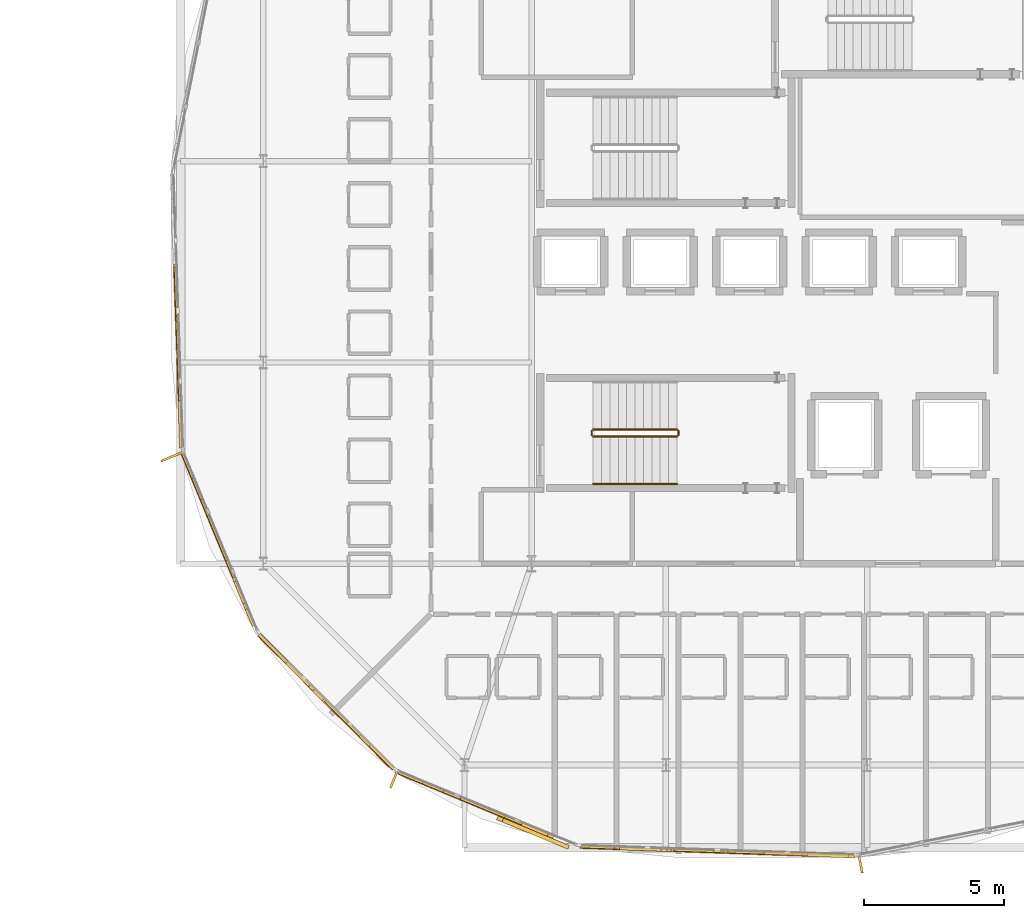
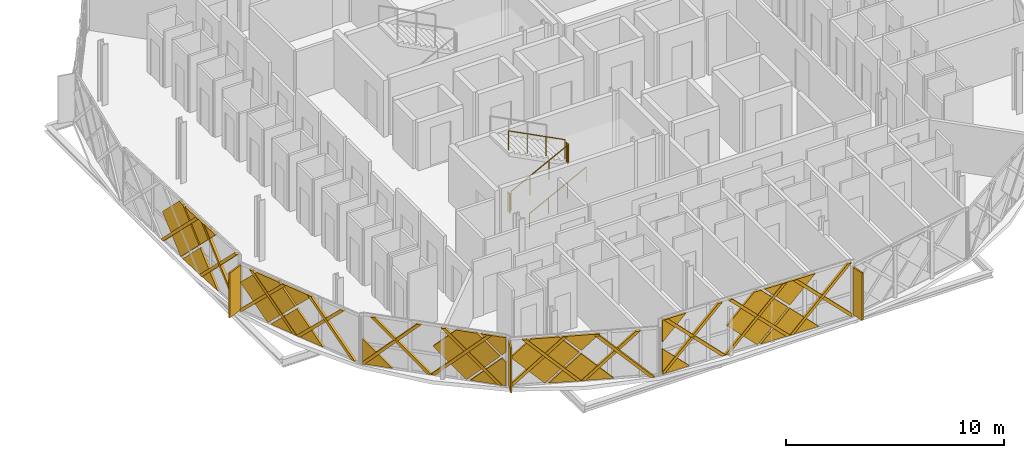
# One storey, part 21 of 25: 39 coverings, 5 railings, 3 shading devices.
"""IFC4 building model written with IfcOpenShell, lengths in metres."""

from ifc_helpers import new_model, si_unit, direction, frame, origin, origin_2d, place, context, subcontext, project, spatial, polyline, rectangle, circle, outline, extrude, material, layer, layer_set, type_object, element, save


model = new_model("IFC4")

# Units and contexts
model_context = context("Model", 3, precision=1e-05, world=origin(), true_north=direction((0.0, 1.0)))
body_context = subcontext(model_context, "Body", "Model", "MODEL_VIEW")
ifc_project = project(units=[si_unit("LENGTHUNIT", "METRE"), si_unit("AREAUNIT", "SQUARE_METRE"), si_unit("VOLUMEUNIT", "CUBIC_METRE"), si_unit("PLANEANGLEUNIT", "RADIAN"), si_unit("MASSUNIT", "GRAM", prefix="KILO")], contexts=[model_context])

# Site, building, storey
site_placement = place(None, origin())
site = spatial("IfcSite", under=ifc_project, at=site_placement, CompositionType="ELEMENT")
building_placement = place(site_placement, origin())
building = spatial("IfcBuilding", under=site, at=building_placement, Name="Zevrakil Square Congress Hotel", CompositionType="ELEMENT")
storey_placement = place(building_placement, frame((0.0, 0.0, 28.300048828125)))
storey = spatial("IfcBuildingStorey", under=building, at=storey_placement, Name="L08", CompositionType="ELEMENT", Elevation=28.300048828125)

# Coverings
ifc_material_1 = material(Name="Architectural White Fibre-C GRC", Category="concrete")
ifc_layer_1 = layer(ifc_material_1, 0.06494140625)
ifc_layer_set_1 = layer_set([ifc_layer_1], Name="Architectural White Fibre-C GRC")
covering_type_1 = type_object("IfcCoveringType", Name="COV-DIA-WHITE", PredefinedType="CLADDING", material=ifc_layer_set_1)
covering_1_placement = place(storey_placement, frame((124.122802734375, 24.14013671875, 1.58984375), z_axis=(-0.999406656149, -0.03443721067, 0.000643558289), x_axis=(0.02389505301, -0.706676184949, -0.707133506537)))
element("IfcCovering", 1, at=covering_1_placement, inside=storey, type_object=covering_type_1, Name="L08 45-degree white GRC diamond facade cassette 2890", PredefinedType="CLADDING", context=body_context, shape_type="SweptSolid", body=[
    extrude(outline(polyline([(0.0, 0.0), (2.135395581831385, 2.220446049250313e-16), (-5.777927787020687e-05, -2.1356156752607216), (0.0, 0.0)])), origin(), (0.0, 0.0, -1.0), 0.1201171875),
])
covering_2_placement = place(storey_placement, frame((124.11962890625, 24.230224609375, 1.679931640625), z_axis=(-0.999408467545, -0.034385213214, 0.000610009963), x_axis=(-0.024743257155, 0.706619005661, -0.70716147524)))
element("IfcCovering", 2, at=covering_2_placement, inside=storey, type_object=covering_type_1, Name="L08 45-degree white GRC diamond facade cassette 2891", PredefinedType="CLADDING", context=body_context, shape_type="SweptSolid", body=[
    extrude(outline(polyline([(0.0, 0.0), (2.2485499608674626, 2.220446049250313e-16), (2.2483263124737234, -2.248674971583065), (0.24723547446501004, -2.2485968174487025), (-0.00027366975192211207, -2.001049223632493), (0.0, 0.0)])), origin(), (0.0, 0.0, -1.0), 0.1201171875),
])
covering_3_placement = place(storey_placement, frame((124.122802734375, 24.14013671875, 1.77001953125), z_axis=(-0.999406062122, -0.034455924339, 0.000558812256), x_axis=(-0.023971665606, 0.706773293008, 0.707033854591)))
element("IfcCovering", 3, at=covering_3_placement, inside=storey, type_object=covering_type_1, Name="L08 45-degree white GRC diamond facade cassette 2893", PredefinedType="CLADDING", context=body_context, shape_type="SweptSolid", body=[
    extrude(outline(polyline([(0.0, 0.0), (1.8739571850363022, 2.220446049250313e-16), (-7.65272421775487e-05, -1.8736478046694347), (0.0, 0.0)])), origin(), (0.0, 0.0, -1.0), 0.1201171875),
])
covering_4_placement = place(storey_placement, frame((125.529296875, 17.697509765625, 1.58984375), z_axis=(-0.923880735009, -0.382680146954, 0.000540931678), x_axis=(0.270254610078, -0.653458270391, -0.707074772983)))
element("IfcCovering", 4, at=covering_4_placement, inside=storey, type_object=covering_type_1, Name="L08 45-degree white GRC diamond facade cassette 2900", PredefinedType="CLADDING", context=body_context, shape_type="SweptSolid", body=[
    extrude(outline(polyline([(0.0, 0.0), (2.135572959638723, -2.220446049250313e-16), (-0.0001106088210092171, -2.135490856824391), (0.0, 0.0)])), origin(), (0.0, 0.0, -1.0), 0.1201171875),
])
covering_5_placement = place(storey_placement, frame((125.4951171875, 17.780517578125, 1.679931640625), z_axis=(-0.923872500398, -0.382700002228, 0.000557945874), x_axis=(-0.270979201065, 0.653137471889, -0.707093851907)))
element("IfcCovering", 5, at=covering_5_placement, inside=storey, type_object=covering_type_1, Name="L08 45-degree white GRC diamond facade cassette 2901", PredefinedType="CLADDING", context=body_context, shape_type="SweptSolid", body=[
    extrude(outline(polyline([(0.0, 0.0), (2.248764983938595, -2.220446049250313e-16), (2.2486629909174662, -2.2344258014019363), (2.2345073034525282, -2.24858200213165), (0.905268411496974, -2.2486452372748693), (7.96492004191407e-05, -1.343489374241352), (0.0, 0.0)])), origin(), (0.0, 0.0, -1.0), 0.1201171875),
])
covering_6_placement = place(storey_placement, frame((125.529541015625, 17.697509765625, 1.77001953125), z_axis=(-0.923864383143, -0.382719480171, 0.000633290246), x_axis=(-0.270222156987, 0.653471858092, 0.707074618802)))
element("IfcCovering", 6, at=covering_6_placement, inside=storey, type_object=covering_type_1, Name="L08 45-degree white GRC diamond facade cassette 2902", PredefinedType="CLADDING", context=body_context, shape_type="SweptSolid", body=[
    extrude(outline(polyline([(0.0, 0.0), (1.2160856271526654, 0.0), (-5.54342981577971e-05, -1.2160309255636517), (0.0, 0.0)])), origin(), (0.0, 0.0, -1.0), 0.1201171875),
])
covering_7_placement = place(storey_placement, frame((128.01220703125, 13.230224609375, 0.079833984375), z_axis=(-0.707106696407, -0.707106696407, 0.000489686078), x_axis=(-0.707106781187, 0.707106781187, 0.0)))
element("IfcCovering", 7, at=covering_7_placement, inside=storey, type_object=covering_type_1, Name="L08 45-degree white GRC diamond facade cassette 2907", PredefinedType="CLADDING", context=body_context, shape_type="SweptSolid", body=[
    extrude(outline(polyline([(0.0, 0.0), (1.4100703585770802, 0.0), (1.4100703585770802, -1.410156419072445), (0.0, 0.0)])), origin(), (0.0, 0.0, -1.0), 0.1201171875),
])
covering_8_placement = place(storey_placement, frame((131.69677734375, 9.546875, 1.58984375), z_axis=(-0.707131996288, -0.707081337668, 0.000567227862), x_axis=(0.499744388128, -0.500347388263, -0.707041750955)))
element("IfcCovering", 8, at=covering_8_placement, inside=storey, type_object=covering_type_1, Name="L08 45-degree white GRC diamond facade cassette 2908", PredefinedType="CLADDING", context=body_context, shape_type="SweptSolid", body=[
    extrude(outline(polyline([(0.0, 0.0), (0.26242709034075595, -2.7755575615628914e-17), (1.198877946036626, -0.9366227718015449), (-0.00020670090053709345, -2.1354873319760017), (0.0, 0.0)])), origin(), (0.0, 0.0, -1.0), 0.1201171875),
])
covering_9_placement = place(storey_placement, frame((131.63330078125, 9.610595703125, 1.679931640625), z_axis=(-0.707072573293, -0.707140754153, 0.000574379972), x_axis=(-0.500290274042, 0.499667660798, -0.707136387447)))
element("IfcCovering", 9, at=covering_9_placement, inside=storey, type_object=covering_type_1, Name="L08 45-degree white GRC diamond facade cassette 2909", PredefinedType="CLADDING", context=body_context, shape_type="SweptSolid", body=[
    extrude(outline(polyline([(0.0, 0.0), (2.2486297483448325, 2.220446049250313e-16), (2.2485627124392913, -2.2487517432567556), (0.6928440143281972, -2.248740937382935), (2.066311547865851e-06, -1.5558407007359358), (0.0, 0.0)])), origin(), (0.0, 0.0, -1.0), 0.1201171875),
])
covering_10_placement = place(storey_placement, frame((131.69677734375, 9.547119140625, 1.77001953125), z_axis=(-0.707082590059, -0.707130646988, 0.00067744062), x_axis=(-0.499652488346, 0.500295984249, 0.707143068293)))
element("IfcCovering", 10, at=covering_10_placement, inside=storey, type_object=covering_type_1, Name="L08 45-degree white GRC diamond facade cassette 2910", PredefinedType="CLADDING", context=body_context, shape_type="SweptSolid", body=[
    extrude(outline(polyline([(0.0, 0.0), (1.428296250697704, 1.1102230246251565e-16), (0.5828808306307327, -0.8455025454621583), (-1.0559172112151183e-05, -0.2624270940119601), (0.0, 0.0)])), origin(), (0.0, 0.0, -1.0), 0.1201171875),
])
covering_11_placement = place(storey_placement, frame((135.033447265625, 8.038818359375, 1.58984375), z_axis=(-0.382611128731, -0.923909273244, 0.000615618294), x_axis=(0.653140417013, -0.27095095192, -0.707101956805)))
element("IfcCovering", 11, at=covering_11_placement, inside=storey, type_object=covering_type_1, Name="L08 45-degree white GRC diamond facade cassette 2915", PredefinedType="CLADDING", context=body_context, shape_type="SweptSolid", body=[
    extrude(outline(polyline([(0.0, 0.0), (2.13549085968891, 0.0), (-4.4462938671108176e-05, -2.1355069919827674), (0.0, 0.0)])), origin(), (0.0, 0.0, -1.0), 0.1201171875),
])
covering_12_placement = place(storey_placement, frame((134.9501953125, 8.0732421875, 1.679931640625), z_axis=(-0.382688085475, -0.923877381827, 0.000642326631), x_axis=(-0.653424085223, 0.270169400099, -0.707138925601)))
element("IfcCovering", 12, at=covering_12_placement, inside=storey, type_object=covering_type_1, Name="L08 45-degree white GRC diamond facade cassette 2916", PredefinedType="CLADDING", context=body_context, shape_type="SweptSolid", body=[
    extrude(outline(polyline([(0.0, 0.0), (2.24862148539063, -2.220446049250313e-16), (2.2485204519958906, -2.234569239749313), (2.2343638621767203, -2.2487245366662134), (0.904910646742276, -2.248488868010149), (5.211846532682252e-06, -1.3435007951612474), (0.0, 0.0)])), origin(), (0.0, 0.0, -1.0), 0.1201171875),
])
covering_13_placement = place(storey_placement, frame((135.033447265625, 8.038818359375, 1.77001953125), z_axis=(-0.382669305039, -0.923885202708, 0.000578962254), x_axis=(-0.653214826314, 0.271001848655, 0.707013711825)))
element("IfcCovering", 13, at=covering_13_placement, inside=storey, type_object=covering_type_1, Name="L08 45-degree white GRC diamond facade cassette 2917", PredefinedType="CLADDING", context=body_context, shape_type="SweptSolid", body=[
    extrude(outline(polyline([(0.0, 0.0), (1.2161903890525143, 0.0), (-0.00021495480834077263, -1.216085608155002), (0.0, 0.0)])), origin(), (0.0, 0.0, -1.0), 0.1201171875),
])
covering_14_placement = place(storey_placement, frame((139.943603515625, 6.583740234375, 0.079833984375), z_axis=(-0.034283360846, -0.999411913151, 0.000692113513), x_axis=(-0.999412152521, 0.034283369057, 0.0)))
element("IfcCovering", 14, at=covering_14_placement, inside=storey, type_object=covering_type_1, Name="L08 45-degree white GRC diamond facade cassette 2922", PredefinedType="CLADDING", context=body_context, shape_type="SweptSolid", body=[
    extrude(outline(polyline([(0.0, 0.0), (1.4100085574762915, 6.776263578034403e-21), (1.4100420373288864, -1.4101565877474311), (0.0, 0.0)])), origin(), (0.0, 0.0, -1.0), 0.1201171875),
])
covering_15_placement = place(storey_placement, frame((145.150390625, 6.4052734375, 1.58984375), z_axis=(-0.034356469353, -0.999409483795, 0.000562773639), x_axis=(0.706719673874, -0.024692890579, -0.707062630687)))
element("IfcCovering", 15, at=covering_15_placement, inside=storey, type_object=covering_type_1, Name="L08 45-degree white GRC diamond facade cassette 2923", PredefinedType="CLADDING", context=body_context, shape_type="SweptSolid", body=[
    extrude(outline(polyline([(0.0, 0.0), (2.1356096335581944, 2.220446049250313e-16), (-5.1940318203991254e-05, -2.1353955811997), (0.0, 0.0)])), origin(), (0.0, 0.0, -1.0), 0.1201171875),
])
covering_16_placement = place(storey_placement, frame((145.060546875, 6.408447265625, 1.679931640625), z_axis=(-0.034382704984, -0.99940855375, 0.000610155214), x_axis=(-0.706688042147, 0.023880516245, -0.707122147885)))
element("IfcCovering", 16, at=covering_16_placement, inside=storey, type_object=covering_type_1, Name="L08 45-degree white GRC diamond facade cassette 2924", PredefinedType="CLADDING", context=body_context, shape_type="SweptSolid", body=[
    extrude(outline(polyline([(0.0, 0.0), (2.248674982687375, 2.220446049250313e-16), (2.248623877917361, -2.2487224812771034), (0.24740210582595545, -2.2486245994766136), (-0.00012087017328488159, -2.0010908358061217), (0.0, 0.0)])), origin(), (0.0, 0.0, -1.0), 0.1201171875),
])
covering_17_placement = place(storey_placement, frame((138.534423828125, 6.63330078125, 1.869873046875), z_axis=(-0.034475997033, -0.99940534751, 0.000597492236), x_axis=(0.0, 0.000597847641, 0.999999821289)))
element("IfcCovering", 17, at=covering_17_placement, inside=storey, type_object=covering_type_1, Name="L08 45-degree white GRC diamond facade cassette 2925", PredefinedType="CLADDING", context=body_context, shape_type="SweptSolid", body=[
    extrude(outline(polyline([(0.0, 0.0), (1.2250978751883648, -3.3881317890172014e-21), (1.2250726242992194, -1.2250935204799769), (0.0, 0.0)])), origin(), (0.0, 0.0, -1.0), 0.1201171875),
])
covering_18_placement = place(storey_placement, frame((145.150390625, 6.405517578125, 1.77001953125), z_axis=(-0.034459097168, -0.999405954499, 0.000555637997), x_axis=(-0.706629391592, 0.024757437655, 0.707150600805)))
element("IfcCovering", 18, at=covering_18_placement, inside=storey, type_object=covering_type_1, Name="L08 45-degree white GRC diamond facade cassette 2926", PredefinedType="CLADDING", context=body_context, shape_type="SweptSolid", body=[
    extrude(outline(polyline([(0.0, 0.0), (1.873647806232274, 1.1102230246251565e-16), (9.597706286590402e-05, -1.873784638464735), (0.0, 0.0)])), origin(), (0.0, 0.0, -1.0), 0.1201171875),
])
ifc_material_2 = material(Name="Anodised Champagne Aluminium", Category="aluminium")
ifc_layer_2 = layer(ifc_material_2, 0.0849609375)
ifc_layer_set_2 = layer_set([ifc_layer_2], Name="Anodised Champagne Aluminium")
covering_type_2 = type_object("IfcCoveringType", Name="COV-DIAGRID-45", PredefinedType="MOLDING", material=ifc_layer_set_2)
covering_19_placement = place(storey_placement, frame((123.987548828125, 27.311279296875, 0.079833984375), z_axis=(-0.99940380088, -0.034521720238, 0.00054186522), x_axis=(-0.0345217253, 0.999403947602, 1.0757e-08)))
element("IfcCovering", 19, at=covering_19_placement, inside=storey, type_object=covering_type_2, Name="L08 45-degree aluminium diagrid rib 2895", PredefinedType="MOLDING", context=body_context, shape_type="SweptSolid", body=[
    extrude(outline(polyline([(0.0, 0.0), (0.21228459038698066, -8.470329472543003e-22), (-2.8027523469943096, -3.015137191547288), (-3.014792942276895, -3.0151371961115876), (0.0, 0.0)])), origin(), (0.0, 0.0, -1.0), 0.14501953125),
])
covering_20_placement = place(storey_placement, frame((124.103271484375, 23.953369140625, 0.079833984375), z_axis=(-0.999403164725, -0.034541584034, 0.000439671013), x_axis=(-0.034541587373, 0.999403261322, 0.0)))
element("IfcCovering", 20, at=covering_20_placement, inside=storey, type_object=covering_type_2, Name="L08 45-degree aluminium diagrid rib 2896", PredefinedType="MOLDING", context=body_context, shape_type="SweptSolid", body=[
    extrude(outline(polyline([(0.0, 0.0), (0.21204059532446085, 4.235164736271502e-22), (-2.8029879732755405, -3.015137010178986), (-3.0150285686000013, -3.015137010178986), (0.0, 0.0)])), origin(), (0.0, 0.0, -1.0), 0.14501953125),
])
covering_21_placement = place(storey_placement, frame((124.10400390625, 23.980712890625, 3.094970703125), z_axis=(-0.999409170669, -0.034366260263, 0.000519362856), x_axis=(0.034366264934, -0.999409305457, 7.0478e-08)))
element("IfcCovering", 21, at=covering_21_placement, inside=storey, type_object=covering_type_2, Name="L08 45-degree aluminium diagrid rib 2899", PredefinedType="MOLDING", context=body_context, shape_type="SweptSolid", body=[
    extrude(outline(polyline([(0.0, 0.0), (0.21228458847420495, 0.0), (3.0488680792456937, -2.8366705371781626), (3.048868066667643, -3.015137309983542), (3.015154610740454, -3.0151373398777044), (0.0, 0.0)])), origin(), (0.0, 0.0, -1.0), 0.14501953125),
])
covering_22_placement = place(storey_placement, frame((124.291015625, 20.619873046875, 0.079833984375), z_axis=(-0.923934538218, -0.382549853992, 0.000760459497), x_axis=(-0.382549966033, 0.92393480478, -2.031981e-06)))
element("IfcCovering", 22, at=covering_22_placement, inside=storey, type_object=covering_type_2, Name="L08 45-degree aluminium diagrid rib 2903", PredefinedType="MOLDING", context=body_context, shape_type="SweptSolid", body=[
    extrude(outline(polyline([(0.0, 0.0), (0.08623768108857352, 3.3881317890172014e-21), (0.0861440286226943, -0.12622083797518888), (-2.337709719936132, -2.5500447458273348), (-2.5498499145067783, -2.550044232837287), (0.0, 0.0)])), origin(), (0.0, 0.0, -1.0), 0.14501953125),
])
covering_23_placement = place(storey_placement, frame((125.57666015625, 17.515625, 0.079833984375), z_axis=(-0.92404438566, -0.382283783226, 0.001040390342), x_axis=(-0.382283989901, 0.92404488585, 2.2886e-07)))
element("IfcCovering", 23, at=covering_23_placement, inside=storey, type_object=covering_type_2, Name="L08 45-degree aluminium diagrid rib 2904", PredefinedType="MOLDING", context=body_context, shape_type="SweptSolid", body=[
    extrude(outline(polyline([(0.0, 0.0), (0.21214021679311196, -1.3552527156068805e-20), (-2.33802225386467, -2.5500507433072457), (-2.549936873761823, -2.550050840356341), (0.0, 0.0)])), origin(), (0.0, 0.0, -1.0), 0.14501953125),
])
covering_24_placement = place(storey_placement, frame((124.4599609375, 20.2158203125, 2.6298828125), z_axis=(-0.924044872778, -0.38228398475, 0.000167620063), x_axis=(0.382283990127, -0.924044885757, 3.6911e-08)))
element("IfcCovering", 24, at=covering_24_placement, inside=storey, type_object=covering_type_2, Name="L08 45-degree aluminium diagrid rib 2905", PredefinedType="MOLDING", context=body_context, shape_type="SweptSolid", body=[
    extrude(outline(polyline([(0.0, 0.0), (0.21191461989716928, -1.6940658945086007e-21), (2.761859994989337, -2.5500489658929983), (2.549719778196231, -2.550048950240514), (0.0, 0.0)])), origin(), (0.0, 0.0, -1.0), 0.14501953125),
])
covering_25_placement = place(storey_placement, frame((125.74560546875, 17.11181640625, 2.6298828125), z_axis=(-0.923925582378, -0.382571925456, 0.000489979355), x_axis=(0.382571971497, -0.923925693238, 2.60382e-07)))
element("IfcCovering", 25, at=covering_25_placement, inside=storey, type_object=covering_type_2, Name="L08 45-degree aluminium diagrid rib 2906", PredefinedType="MOLDING", context=body_context, shape_type="SweptSolid", body=[
    extrude(outline(polyline([(0.0, 0.0), (0.2122335933052742, 6.776263578034403e-21), (2.762403694716407, -2.550049853512569), (2.5502635027713616, -2.5500497430133255), (0.0, 0.0)])), origin(), (0.0, 0.0, -1.0), 0.14501953125),
])
covering_26_placement = place(storey_placement, frame((127.05810546875, 14.148681640625, 0.079833984375), z_axis=(-0.707552959973, -0.706659195545, 0.001261025151), x_axis=(-0.70665975586, 0.707553524085, 1.730149e-06)))
element("IfcCovering", 26, at=covering_26_placement, inside=storey, type_object=covering_type_2, Name="L08 45-degree aluminium diagrid rib 2911", PredefinedType="MOLDING", context=body_context, shape_type="SweptSolid", body=[
    extrude(outline(polyline([(0.0, 0.0), (0.08614420415780094, -6.776263578034403e-21), (0.08614442253839773, -0.1262206027676727), (-2.487814877312444, -2.700201847212784), (-2.699981505098143, -2.7002021656843427), (0.0, 0.0)])), origin(), (0.0, 0.0, -1.0), 0.14501953125),
])
covering_27_placement = place(storey_placement, frame((129.43408203125, 11.77294921875, 0.079833984375), z_axis=(-0.707106636671, -0.707106636671, 0.000639336923), x_axis=(-0.707106781187, 0.707106781187, 0.0)))
element("IfcCovering", 27, at=covering_27_placement, inside=storey, type_object=covering_type_2, Name="L08 45-degree aluminium diagrid rib 2912", PredefinedType="MOLDING", context=body_context, shape_type="SweptSolid", body=[
    extrude(outline(polyline([(0.0, 0.0), (0.21199392756276378, 0.0), (-2.4879938795069636, -2.700195864354883), (-2.6999878070697276, -2.700195864354883), (0.0, 0.0)])), origin(), (0.0, 0.0, -1.0), 0.14501953125),
])
covering_28_placement = place(storey_placement, frame((127.262939453125, 13.9462890625, 2.780029296875), z_axis=(-0.707106664129, -0.707106664129, 0.000575403253), x_axis=(0.707106781187, -0.707106781187, 0.0)))
element("IfcCovering", 28, at=covering_28_placement, inside=storey, type_object=covering_type_2, Name="L08 45-degree aluminium diagrid rib 2913", PredefinedType="MOLDING", context=body_context, shape_type="SweptSolid", body=[
    extrude(outline(polyline([(0.0, 0.0), (0.21199392756276378, 0.0), (2.912154368123992, -2.7001957595024644), (2.6998151735782265, -2.7001957595024644), (0.0, 0.0)])), origin(), (0.0, 0.0, -1.0), 0.14501953125),
])
covering_29_placement = place(storey_placement, frame((129.638916015625, 11.570556640625, 2.780029296875), z_axis=(-0.707106664129, -0.707106664129, 0.000575403253), x_axis=(0.707106780996, -0.707106781377, -4.68188e-07)))
element("IfcCovering", 29, at=covering_29_placement, inside=storey, type_object=covering_type_2, Name="L08 45-degree aluminium diagrid rib 2914", PredefinedType="MOLDING", context=body_context, shape_type="SweptSolid", body=[
    extrude(outline(polyline([(0.0, 0.0), (0.21216656105428766, 0.0), (2.9121556323233664, -2.7001943960659633), (2.699989071269172, -2.7001945947337083), (0.0, 0.0)])), origin(), (0.0, 0.0, -1.0), 0.14501953125),
])
covering_30_placement = place(storey_placement, frame((132.09130859375, 9.2294921875, 0.079833984375), z_axis=(-0.382701120216, -0.923872025808, 0.000576642016), x_axis=(-0.923872179422, 0.38270118381, -6.1843e-08)))
element("IfcCovering", 30, at=covering_30_placement, inside=storey, type_object=covering_type_2, Name="L08 45-degree aluminium diagrid rib 2918", PredefinedType="MOLDING", context=body_context, shape_type="SweptSolid", body=[
    extrude(outline(polyline([(0.0, 0.0), (0.08614428474267677, 0.0), (0.08614427693680933, -0.12622068213979545), (-2.3378049788131032, -2.550049114756689), (-2.5500385858162278, -2.550049053711513), (0.0, 0.0)])), origin(), (0.0, 0.0, -1.0), 0.14501953125),
])
covering_31_placement = place(storey_placement, frame((135.1953125, 7.943603515625, 0.079833984375), z_axis=(-0.382775327464, -0.92384120388, 0.000691879661), x_axis=(-0.923841424863, 0.382775419414, 5.20519e-07)))
element("IfcCovering", 31, at=covering_31_placement, inside=storey, type_object=covering_type_2, Name="L08 45-degree aluminium diagrid rib 2919", PredefinedType="MOLDING", context=body_context, shape_type="SweptSolid", body=[
    extrude(outline(polyline([(0.0, 0.0), (0.2120080657726245, 0.0), (-2.33802891427037, -2.550050655464719), (-2.550169076235731, -2.550050876241881), (0.0, 0.0)])), origin(), (0.0, 0.0, -1.0), 0.14501953125),
])
covering_32_placement = place(storey_placement, frame((132.496337890625, 9.063232421875, 2.6298828125), z_axis=(-0.382571876897, -0.923925465108, 0.000702803032), x_axis=(0.923925693387, -0.382571971137, 3.73644e-07)))
element("IfcCovering", 32, at=covering_32_placement, inside=storey, type_object=covering_type_2, Name="L08 45-degree aluminium diagrid rib 2920", PredefinedType="MOLDING", context=body_context, shape_type="SweptSolid", body=[
    extrude(outline(polyline([(0.0, 0.0), (0.2121401919450817, 6.776263578034403e-21), (2.762077414077669, -2.5500504899339758), (2.5498438207724465, -2.550050331369346), (0.0, 0.0)])), origin(), (0.0, 0.0, -1.0), 0.14501953125),
])
covering_33_placement = place(storey_placement, frame((135.6005859375, 7.777587890625, 2.6298828125), z_axis=(0.383266523222, 0.92363779245, 2.3140221e-05), x_axis=(0.923637792697, -0.383266523325, 5.107e-09)))
element("IfcCovering", 33, at=covering_33_placement, inside=storey, type_object=covering_type_2, Name="L08 45-degree aluminium diagrid rib 2921", PredefinedType="MOLDING", context=body_context, shape_type="SweptSolid", body=[
    extrude(outline(polyline([(0.0, 0.0), (0.2120081206079828, 4.235164736271502e-22), (2.7621724915732813, 2.5500488429128563), (2.5499388734573154, 2.5500488407464528), (0.0, 0.0)])), origin(), (0.0, 0.0, -1.0), 0.14501953125),
])
covering_34_placement = place(storey_placement, frame((138.619384765625, 6.604248046875, 0.079833984375), z_axis=(-0.034813414557, -0.999393365088, 0.00096331976), x_axis=(-0.999393828823, 0.034813430021, -7.1551e-07)))
element("IfcCovering", 34, at=covering_34_placement, inside=storey, type_object=covering_type_2, Name="L08 45-degree aluminium diagrid rib 2927", PredefinedType="MOLDING", context=body_context, shape_type="SweptSolid", body=[
    extrude(outline(polyline([(0.0, 0.0), (0.08598739963524828, 0.0), (0.08599580869557466, -0.12622087960850403), (-2.8031153889520497, -3.015136070302355), (-3.01515597643229, -3.015135974145943), (0.0, 0.0)])), origin(), (0.0, 0.0, -1.0), 0.14501953125),
])
covering_35_placement = place(storey_placement, frame((141.9775390625, 6.488525390625, 0.079833984375), z_axis=(-0.034521715448, -0.999403662228, 0.000755704111), x_axis=(-0.999403947602, 0.034521725294, -1.5002e-08)))
element("IfcCovering", 35, at=covering_35_placement, inside=storey, type_object=covering_type_2, Name="L08 45-degree aluminium diagrid rib 2928", PredefinedType="MOLDING", context=body_context, shape_type="SweptSolid", body=[
    extrude(outline(polyline([(0.0, 0.0), (0.21228459038698066, 0.0), (-2.8028615692735874, -3.015137537658387), (-3.014902164556173, -3.0151375312928557), (0.0, 0.0)])), origin(), (0.0, 0.0, -1.0), 0.14501953125),
])
covering_36_placement = place(storey_placement, frame((145.335693359375, 6.373046875, 0.079833984375), z_axis=(-0.034501878686, -0.999404419272, 0.000653533562), x_axis=(-0.999404632698, 0.034501886054, 0.0)))
element("IfcCovering", 36, at=covering_36_placement, inside=storey, type_object=covering_type_2, Name="L08 45-degree aluminium diagrid rib 2929", PredefinedType="MOLDING", context=body_context, shape_type="SweptSolid", body=[
    extrude(outline(polyline([(0.0, 0.0), (0.21228459042880765, -8.470329472543003e-22), (-2.8026259967617024, -3.015137362641873), (-3.01491058719051, -3.015137362641873), (0.0, 0.0)])), origin(), (0.0, 0.0, -1.0), 0.14501953125),
])
covering_37_placement = place(storey_placement, frame((138.592529296875, 6.60693359375, 3.094970703125), z_axis=(-0.034541584034, -0.999403164725, 0.000439671013), x_axis=(0.999403261322, -0.034541587373, 0.0)))
element("IfcCovering", 37, at=covering_37_placement, inside=storey, type_object=covering_type_2, Name="L08 45-degree aluminium diagrid rib 2930", PredefinedType="MOLDING", context=body_context, shape_type="SweptSolid", body=[
    extrude(outline(polyline([(0.0, 0.0), (0.21204059532446085, -4.235164736271502e-22), (3.227069163924462, -3.015137010178986), (3.0150285686000013, -3.015137010178986), (0.0, 0.0)])), origin(), (0.0, 0.0, -1.0), 0.14501953125),
])
covering_38_placement = place(storey_placement, frame((141.950439453125, 6.491455078125, 3.094970703125), z_axis=(-0.034521720238, -0.99940380088, 0.00054186522), x_axis=(0.999403947602, -0.0345217253, 1.0757e-08)))
element("IfcCovering", 38, at=covering_38_placement, inside=storey, type_object=covering_type_2, Name="L08 45-degree aluminium diagrid rib 2931", PredefinedType="MOLDING", context=body_context, shape_type="SweptSolid", body=[
    extrude(outline(polyline([(0.0, 0.0), (0.21228459038698066, 8.470329472543003e-22), (3.2270775326638756, -3.0151371961115876), (3.01503693738129, -3.015137191547288), (0.0, 0.0)])), origin(), (0.0, 0.0, -1.0), 0.14501953125),
])
covering_39_placement = place(storey_placement, frame((145.30859375, 6.375732421875, 3.094970703125), z_axis=(-0.034265310904, -0.999412519426, 0.000710269534), x_axis=(0.999412771515, -0.034265319687, -1.96341e-07)))
element("IfcCovering", 39, at=covering_39_placement, inside=storey, type_object=covering_type_2, Name="L08 45-degree aluminium diagrid rib 2932", PredefinedType="MOLDING", context=body_context, shape_type="SweptSolid", body=[
    extrude(outline(polyline([(0.0, 0.0), (0.2120405872229922, 0.0), (3.048733727824924, -2.8366700145603194), (3.0487421284218024, -3.015136939720772), (3.0147846816837705, -3.015136905779101), (0.0, 0.0)])), origin(), (0.0, 0.0, -1.0), 0.14501953125),
])

# Railings
ifc_material_3 = material(Name="Steel S355", Category="steel")
railing_type_1 = type_object("IfcRailingType", Name="RLG-STAIR-GUARD-1100", PredefinedType="BALUSTRADE", material=ifc_material_3)
railing_1_placement = place(storey_placement, frame((139.0, 21.35009765625, 0.154541015625)))
element("IfcRailing", 40, at=railing_1_placement, inside=storey, type_object=railing_type_1, Name="L08 ST01 stair guard 1", PredefinedType="BALUSTRADE", context=body_context, shape_type="SweptSolid", body=[
    extrude(circle(Radius=0.02392578125, at=origin_2d()), frame((0.0, 0.0, 1.076171875), z_axis=(0.888979911393, 0.0, 0.45794619459), x_axis=(0.0, 1.0, 0.0)), (0.0, 0.0, 1.0), 3.374755859375),
    extrude(circle(Radius=0.02099609375, at=origin_2d()), origin(), (0.0, 0.0, 1.0), 1.052001953125),
    extrude(circle(Radius=0.02099609375, at=origin_2d()), frame((1.0, 0.0, 0.51513671875)), (0.0, 0.0, 1.0), 1.052001953125),
    extrude(circle(Radius=0.02099609375, at=origin_2d()), frame((2.0, 0.0, 1.0302734375)), (0.0, 0.0, 1.0), 1.052001953125),
    extrude(circle(Radius=0.02099609375, at=origin_2d()), frame((3.0, 0.0, 1.54541015625)), (0.0, 0.0, 1.0), 1.052001953125),
])
railing_2_placement = place(storey_placement, frame((142.050048828125, 21.39990234375, 1.699951171875)))
element("IfcRailing", 41, at=railing_2_placement, inside=storey, type_object=railing_type_1, Name="L08 ST01 stair guard 2", PredefinedType="BALUSTRADE", context=body_context, shape_type="SweptSolid", body=[
    extrude(circle(Radius=0.02392578125, at=origin_2d()), frame((0.0, 0.0, 1.076171875), z_axis=(0.0, 1.0, 0.0), x_axis=(-1.0, 0.0, 0.0)), (0.0, 0.0, 1.0), 0.150146484375),
    extrude(circle(Radius=0.02099609375, at=origin_2d()), origin(), (0.0, 0.0, 1.0), 1.052001953125),
    extrude(circle(Radius=0.02099609375, at=origin_2d()), frame((0.0, 0.150146484375, 0.0)), (0.0, 0.0, 1.0), 1.052001953125),
])
railing_3_placement = place(storey_placement, frame((142.0, 21.60009765625, 1.8544921875)))
element("IfcRailing", 42, at=railing_3_placement, inside=storey, type_object=railing_type_1, Name="L08 ST01 stair guard 3", PredefinedType="BALUSTRADE", context=body_context, shape_type="SweptSolid", body=[
    extrude(circle(Radius=0.02392578125, at=origin_2d()), frame((0.0, 0.0, 1.076171875), z_axis=(-0.888979911393, 0.0, 0.45794619459), x_axis=(0.0, -1.0, 0.0)), (0.0, 0.0, 1.0), 3.374755859375),
    extrude(circle(Radius=0.02099609375, at=origin_2d()), origin(), (0.0, 0.0, 1.0), 1.052001953125),
    extrude(circle(Radius=0.02099609375, at=origin_2d()), frame((-1.0, 0.0, 0.51513671875)), (0.0, 0.0, 1.0), 1.052001953125),
    extrude(circle(Radius=0.02099609375, at=origin_2d()), frame((-2.0, 0.0, 1.0302734375)), (0.0, 0.0, 1.0), 1.052001953125),
    extrude(circle(Radius=0.02099609375, at=origin_2d()), frame((-3.0, 0.0, 1.54541015625)), (0.0, 0.0, 1.0), 1.052001953125),
])
railing_4_placement = place(storey_placement, frame((138.949951171875, 21.39990234375, 0.0)))
element("IfcRailing", 43, at=railing_4_placement, inside=storey, type_object=railing_type_1, Name="L08 ST01 stair guard 4", PredefinedType="BALUSTRADE", context=body_context, shape_type="SweptSolid", body=[
    extrude(circle(Radius=0.02392578125, at=origin_2d()), frame((0.0, 0.0, 1.076171875), z_axis=(0.0, 1.0, 0.0), x_axis=(-1.0, 0.0, 0.0)), (0.0, 0.0, 1.0), 0.150146484375),
    extrude(circle(Radius=0.02099609375, at=origin_2d()), origin(), (0.0, 0.0, 1.0), 1.052001953125),
    extrude(circle(Radius=0.02099609375, at=origin_2d()), frame((0.0, 0.150146484375, 0.0)), (0.0, 0.0, 1.0), 1.052001953125),
])
ifc_material_4 = material(Name="Steel S355", Category="steel")
railing_type_2 = type_object("IfcRailingType", Name="RLG-STAIR-HAND-900", PredefinedType="HANDRAIL", material=ifc_material_4)
railing_5_placement = place(storey_placement, frame((139.0, 19.64990234375, 0.154541015625)))
element("IfcRailing", 44, at=railing_5_placement, inside=storey, type_object=railing_type_2, Name="L08 ST01 stair handrail 1", PredefinedType="HANDRAIL", context=body_context, shape_type="SweptSolid", body=[
    extrude(circle(Radius=0.02392578125, at=origin_2d()), frame((0.0, 0.0, 0.8759765625), z_axis=(0.888979911393, 0.0, 0.45794619459), x_axis=(0.0, 1.0, 0.0)), (0.0, 0.0, 1.0), 3.374755859375),
    extrude(circle(Radius=0.02099609375, at=origin_2d()), origin(), (0.0, 0.0, 1.0), 0.851806640625),
    extrude(circle(Radius=0.02099609375, at=origin_2d()), frame((1.0, 0.0, 0.51513671875)), (0.0, 0.0, 1.0), 0.851806640625),
    extrude(circle(Radius=0.02099609375, at=origin_2d()), frame((2.0, 0.0, 1.0302734375)), (0.0, 0.0, 1.0), 0.851806640625),
    extrude(circle(Radius=0.02099609375, at=origin_2d()), frame((3.0, 0.0, 1.54541015625)), (0.0, 0.0, 1.0), 0.851806640625),
])

# Shading devices
ifc_material_5 = material(Name="Aluminium Anodised Bronze", Category="aluminium")
shading_device_type_1 = type_object("IfcShadingDeviceType", Name="SHD-FIN-65", PredefinedType="USERDEFINED", material=ifc_material_5)
shading_device_1_placement = place(storey_placement, frame((148.56591796875, 6.054931640625, 0.10009765625), z_axis=(0.0, 0.0, 1.0), x_axis=(0.195090322016, -0.980785280403, 0.0)))
element("IfcShadingDevice", 45, at=shading_device_1_placement, inside=storey, type_object=shading_device_type_1, Name="L08 aluminium solar shading fin 154", ObjectType="SOLAR FIN", PredefinedType="USERDEFINED", context=body_context, shape_type="SweptSolid", body=[
    extrude(rectangle(XDim=0.64990234375, YDim=0.080078125, at=origin_2d()), origin(), (0.0, 0.0, 1.0), 2.659912109375),
])
shading_device_2_placement = place(storey_placement, frame((131.8701171875, 9.077392578125, 0.10009765625), z_axis=(0.0, 0.0, 1.0), x_axis=(-0.382683432365, -0.923879532511, 0.0)))
element("IfcShadingDevice", 46, at=shading_device_2_placement, inside=storey, type_object=shading_device_type_1, Name="L08 aluminium solar shading fin 162", ObjectType="SOLAR FIN", PredefinedType="USERDEFINED", context=body_context, shape_type="SweptSolid", body=[
    extrude(rectangle(XDim=0.64990234375, YDim=0.080078125, at=origin_2d()), origin(), (0.0, 0.0, 1.0), 2.510009765625),
])
ifc_material_6 = material(Name="Aluminium Anodised Bronze", Category="aluminium")
shading_device_type_2 = type_object("IfcShadingDeviceType", Name="SHD-FIN-85", PredefinedType="USERDEFINED", material=ifc_material_6)
shading_device_3_placement = place(storey_placement, frame((123.934814453125, 20.630615234375, 0.10009765625), z_axis=(0.0, 0.0, 1.0), x_axis=(-0.923879532511, -0.382683432365, 0.0)))
element("IfcShadingDevice", 47, at=shading_device_3_placement, inside=storey, type_object=shading_device_type_2, Name="L08 aluminium solar shading fin 161", ObjectType="SOLAR FIN", PredefinedType="USERDEFINED", context=body_context, shape_type="SweptSolid", body=[
    extrude(rectangle(XDim=0.85009765625, YDim=0.080078125, at=origin_2d()), origin(), (0.0, 0.0, 1.0), 2.510009765625),
])

save(model, "model.ifc")
